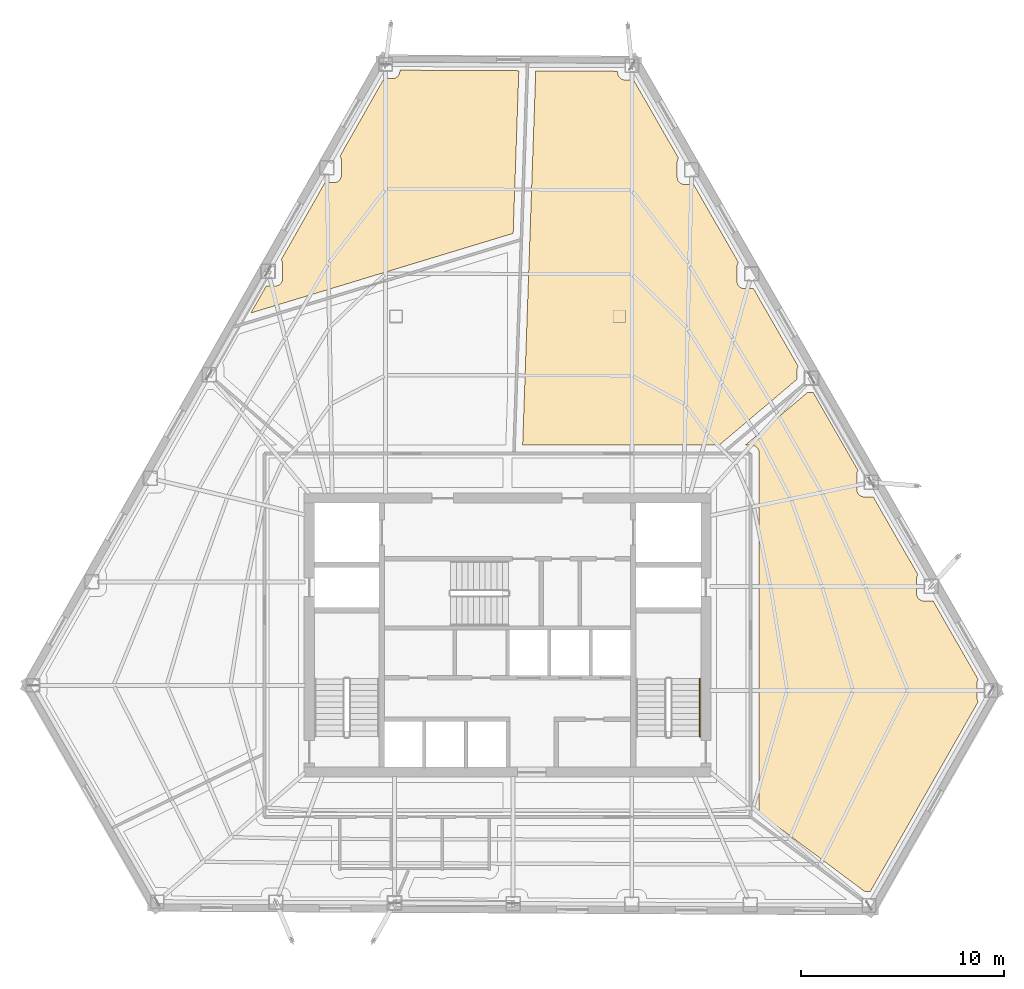
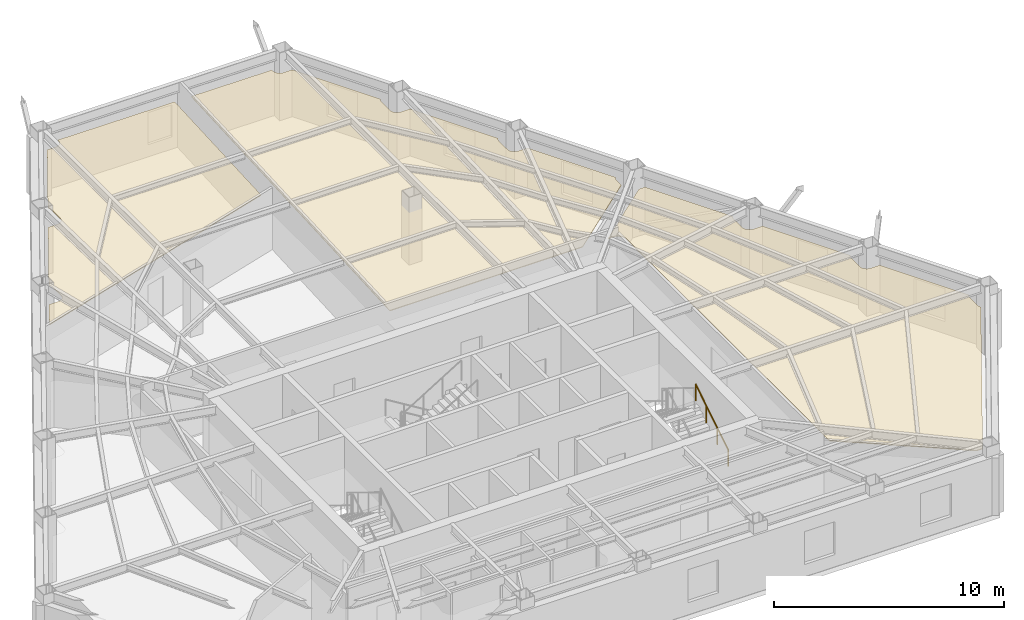
# One storey, part 13 of 13: 3 coverings, 1 railing.
"""IFC4 building model written with IfcOpenShell, lengths in metres."""

from ifc_helpers import new_model, si_unit, direction, frame, origin, origin_2d, place, context, subcontext, project, spatial, polyline, circle, outline, extrude, material, layer, layer_set, type_object, element, save


model = new_model("IFC4")

# Units and contexts
model_context = context("Model", 3, precision=1e-05, world=origin(), true_north=direction((0.0, 1.0)))
body_context = subcontext(model_context, "Body", "Model", "MODEL_VIEW")
ifc_project = project(units=[si_unit("LENGTHUNIT", "METRE"), si_unit("AREAUNIT", "SQUARE_METRE"), si_unit("VOLUMEUNIT", "CUBIC_METRE"), si_unit("PLANEANGLEUNIT", "RADIAN"), si_unit("MASSUNIT", "GRAM", prefix="KILO")], contexts=[model_context])

# Site, building, storey
site_placement = place(None, origin())
site = spatial("IfcSite", under=ifc_project, at=site_placement, CompositionType="ELEMENT")
building_placement = place(site_placement, origin())
building = spatial("IfcBuilding", under=site, at=building_placement, Name="Kavelnor Concourse Tower", CompositionType="ELEMENT")
storey_placement = place(building_placement, frame((0.0, 0.0, 108.60009765625)))
storey = spatial("IfcBuildingStorey", under=building, at=storey_placement, Name="L27", CompositionType="ELEMENT", Elevation=108.60009765625)

# Coverings
ifc_material_1 = material(Name="Mineral fibre acoustic ceiling tile")
ifc_layer = layer(ifc_material_1, 0.0400390625, Name="Mineral fibre acoustic ceiling tile")
ifc_layer_set = layer_set([ifc_layer], Name="Mineral fibre acoustic ceiling tile")
covering_type = type_object("IfcCoveringType", Name="COV-CEILING-ACOUSTIC", PredefinedType="CEILING", material=ifc_layer_set)
covering_1_placement = place(storey_placement, frame((0.0, 0.0, 2.75)))
element("IfcCovering", 1, at=covering_1_placement, inside=storey, type_object=covering_type, Name="L27 Suspended Acoustic Ceiling", PredefinedType="CEILING", context=body_context, shape_type="SweptSolid", body=[
    extrude(outline(polyline([(46.378173828125, 39.51123046875), (46.3662109375, 39.47802734375), (46.357666015625, 39.443603515625), (46.3525390625, 39.40869140625), (46.351318359375, 39.381591796875), (46.351318359375, 38.64501953125), (46.3525390625, 38.6181640625), (46.357666015625, 38.5830078125), (46.3662109375, 38.548828125), (46.378173828125, 38.515380859375), (46.393310546875, 38.4833984375), (46.41162109375, 38.453125), (46.4326171875, 38.4248046875), (46.456298828125, 38.398681640625), (46.482666015625, 38.374755859375), (46.510986328125, 38.353759765625), (46.541259765625, 38.33544921875), (46.5732421875, 38.3203125), (46.606689453125, 38.30859375), (46.640869140625, 38.2998046875), (46.67578125, 38.294677734375), (46.702880859375, 38.29345703125), (47.162109375, 38.29345703125), (49.36767578125, 34.456787109375), (49.359375, 34.445556640625), (49.34130859375, 34.415283203125), (49.326171875, 34.38330078125), (49.314208984375, 34.349853515625), (49.3056640625, 34.315673828125), (49.30029296875, 34.280517578125), (49.299072265625, 34.253662109375), (49.299072265625, 33.51708984375), (49.30029296875, 33.489990234375), (49.3056640625, 33.455078125), (49.314208984375, 33.420654296875), (49.326171875, 33.387451171875), (49.34130859375, 33.35546875), (49.359375, 33.3251953125), (49.380615234375, 33.296630859375), (49.404296875, 33.2705078125), (49.430419921875, 33.24658203125), (49.458984375, 33.2255859375), (49.4892578125, 33.20751953125), (49.521240234375, 33.1923828125), (49.554443359375, 33.180419921875), (49.5888671875, 33.171875), (49.623779296875, 33.16650390625), (49.65087890625, 33.165283203125), (50.110107421875, 33.165283203125), (52.315673828125, 29.32861328125), (52.307373046875, 29.3173828125), (52.289306640625, 29.287109375), (52.274169921875, 29.255126953125), (52.26220703125, 29.2216796875), (52.253662109375, 29.1875), (52.248291015625, 29.152587890625), (52.2470703125, 29.12548828125), (52.2470703125, 28.69189453125), (48.440185546875, 25.472412109375), (38.742431640625, 25.472412109375), (39.385498046875, 43.885986328125), (43.42333984375, 43.865234375), (43.42333984375, 43.793212890625), (43.424560546875, 43.76611328125), (43.4296875, 43.731201171875), (43.4384765625, 43.697021484375), (43.4501953125, 43.66357421875), (43.46533203125, 43.631591796875), (43.483642578125, 43.601318359375), (43.504638671875, 43.572998046875), (43.528564453125, 43.546630859375), (43.5546875, 43.52294921875), (43.5830078125, 43.501708984375), (43.61328125, 43.483642578125), (43.6455078125, 43.468505859375), (43.6787109375, 43.45654296875), (43.712890625, 43.447998046875), (43.748046875, 43.44287109375), (43.77490234375, 43.44140625), (44.202880859375, 43.44140625), (46.419921875, 39.584716796875), (46.41162109375, 39.573486328125), (46.393310546875, 39.543212890625), (46.378173828125, 39.51123046875)])), origin(), (0.0, 0.0, 1.0), 0.039794921875),
])
covering_2_placement = place(storey_placement, frame((0.0, 0.0, 2.75)))
element("IfcCovering", 2, at=covering_2_placement, inside=storey, type_object=covering_type, Name="L27 Suspended Acoustic Ceiling", PredefinedType="CEILING", context=body_context, shape_type="SweptSolid", body=[
    extrude(outline(polyline([(26.570068359375, 33.291748046875), (26.596923828125, 33.29296875), (26.632080078125, 33.298095703125), (26.666259765625, 33.306884765625), (26.69970703125, 33.318603515625), (26.731689453125, 33.333740234375), (26.761962890625, 33.35205078125), (26.790283203125, 33.373046875), (26.81640625, 33.39697265625), (26.84033203125, 33.423095703125), (26.861328125, 33.451416015625), (26.879638671875, 33.481689453125), (26.894775390625, 33.513916015625), (26.906494140625, 33.547119140625), (26.915283203125, 33.581298828125), (26.92041015625, 33.616455078125), (26.921630859375, 33.643310546875), (26.921630859375, 34.3798828125), (26.92041015625, 34.406982421875), (26.915283203125, 34.44189453125), (26.906494140625, 34.476318359375), (26.894775390625, 34.509521484375), (26.879638671875, 34.54150390625), (26.861328125, 34.572021484375), (26.850341796875, 34.5869140625), (29.00927734375, 38.38818359375), (29.464599609375, 38.38818359375), (29.49169921875, 38.389404296875), (29.526611328125, 38.39453125), (29.560791015625, 38.4033203125), (29.59423828125, 38.4150390625), (29.626220703125, 38.43017578125), (29.656494140625, 38.448486328125), (29.684814453125, 38.469482421875), (29.711181640625, 38.493408203125), (29.73486328125, 38.51953125), (29.756103515625, 38.5478515625), (29.774169921875, 38.578125), (29.789306640625, 38.610107421875), (29.80126953125, 38.6435546875), (29.809814453125, 38.677734375), (29.81494140625, 38.712890625), (29.81640625, 38.73974609375), (29.81640625, 39.476318359375), (29.81494140625, 39.50341796875), (29.809814453125, 39.538330078125), (29.80126953125, 39.57275390625), (29.789306640625, 39.60595703125), (29.774169921875, 39.637939453125), (29.756103515625, 39.668212890625), (29.744873046875, 39.683349609375), (31.915283203125, 43.50439453125), (32.339111328125, 43.50439453125), (32.3662109375, 43.505615234375), (32.401123046875, 43.510986328125), (32.435302734375, 43.51953125), (32.46875, 43.531494140625), (32.500732421875, 43.54638671875), (32.531005859375, 43.564697265625), (32.559326171875, 43.585693359375), (32.585693359375, 43.609619140625), (32.609375, 43.6357421875), (32.630615234375, 43.664306640625), (32.648681640625, 43.694580078125), (32.663818359375, 43.7265625), (32.67578125, 43.759765625), (32.684326171875, 43.794189453125), (32.689453125, 43.8291015625), (32.69091796875, 43.856201171875), (32.69091796875, 43.9208984375), (38.55517578125, 43.890380859375), (38.275634765625, 35.882080078125), (25.359375, 31.961669921875), (26.11474609375, 33.291748046875), (26.570068359375, 33.291748046875)])), origin(), (0.0, 0.0, 1.0), 0.039794921875),
])
covering_3_placement = place(storey_placement, frame((0.0, 0.0, 2.75)))
element("IfcCovering", 3, at=covering_3_placement, inside=storey, type_object=covering_type, Name="L27 Suspended Acoustic Ceiling", PredefinedType="CEILING", context=body_context, shape_type="SweptSolid", body=[
    extrude(outline(polyline([(50.392578125, 25.058349609375), (50.390869140625, 25.091552734375), (50.384765625, 25.132568359375), (50.374755859375, 25.1728515625), (50.360595703125, 25.2119140625), (50.343017578125, 25.24951171875), (50.321533203125, 25.284912109375), (50.296875, 25.318359375), (50.26904296875, 25.34912109375), (50.23828125, 25.376953125), (50.205078125, 25.401611328125), (50.16943359375, 25.423095703125), (50.1318359375, 25.440673828125), (50.0927734375, 25.45458984375), (50.052490234375, 25.46484375), (50.011474609375, 25.470947265625), (49.978271484375, 25.472412109375), (49.7255859375, 25.472412109375), (52.75830078125, 28.037109375), (53.05810546875, 28.037109375), (55.263671875, 24.2001953125), (55.25537109375, 24.189208984375), (55.237060546875, 24.158935546875), (55.221923828125, 24.126953125), (55.210205078125, 24.093505859375), (55.201416015625, 24.059326171875), (55.1962890625, 24.0244140625), (55.195068359375, 23.997314453125), (55.195068359375, 23.2607421875), (55.1962890625, 23.233642578125), (55.201416015625, 23.19873046875), (55.210205078125, 23.164306640625), (55.221923828125, 23.131103515625), (55.237060546875, 23.09912109375), (55.25537109375, 23.06884765625), (55.2763671875, 23.040283203125), (55.30029296875, 23.01416015625), (55.326416015625, 22.990478515625), (55.354736328125, 22.96923828125), (55.385009765625, 22.951171875), (55.4169921875, 22.93603515625), (55.450439453125, 22.924072265625), (55.484619140625, 22.91552734375), (55.519775390625, 22.910400390625), (55.546630859375, 22.908935546875), (56.005859375, 22.908935546875), (58.21142578125, 19.072265625), (58.203125, 19.06103515625), (58.18505859375, 19.03076171875), (58.169921875, 18.998779296875), (58.157958984375, 18.965576171875), (58.1494140625, 18.93115234375), (58.144287109375, 18.896240234375), (58.142822265625, 18.869140625), (58.142822265625, 18.132568359375), (58.144287109375, 18.105712890625), (58.1494140625, 18.070556640625), (58.157958984375, 18.036376953125), (58.169921875, 18.0029296875), (58.18505859375, 17.970947265625), (58.203125, 17.940673828125), (58.224365234375, 17.912353515625), (58.248046875, 17.885986328125), (58.2744140625, 17.8623046875), (58.302734375, 17.84130859375), (58.3330078125, 17.822998046875), (58.364990234375, 17.807861328125), (58.398193359375, 17.7958984375), (58.4326171875, 17.787353515625), (58.467529296875, 17.7822265625), (58.49462890625, 17.781005859375), (58.953857421875, 17.781005859375), (61.174560546875, 13.917724609375), (61.171142578125, 13.9130859375), (61.15283203125, 13.8828125), (61.1376953125, 13.8505859375), (61.1259765625, 13.8173828125), (61.1171875, 13.783203125), (61.112060546875, 13.748046875), (61.11083984375, 13.72119140625), (61.11083984375, 13.0244140625), (61.112060546875, 12.99755859375), (61.1171875, 12.96240234375), (61.1259765625, 12.92822265625), (61.1376953125, 12.89501953125), (61.15283203125, 12.86279296875), (61.171142578125, 12.83251953125), (61.17724609375, 12.82421875), (55.872802734375, 3.48486328125), (55.570068359375, 3.48486328125), (50.392578125, 7.34716796875), (50.392578125, 25.058349609375)])), origin(), (0.0, 0.0, 1.0), 0.039794921875),
])

# Railing
ifc_material_2 = material(Name="Steel Grade 350", Category="steel")
railing_type = type_object("IfcRailingType", Name="RLG-HANDRAIL-900", PredefinedType="HANDRAIL", material=ifc_material_2)
railing_placement = place(storey_placement, frame((47.469970703125, 11.10009765625, 0.1748046875)))
element("IfcRailing", 4, at=railing_placement, inside=storey, type_object=railing_type, Name="L27 ST2 stair handrail 1", PredefinedType="HANDRAIL", context=body_context, shape_type="SweptSolid", body=[
    extrude(circle(Radius=0.02392578125, at=origin_2d()), frame((0.0, 0.0, 0.8759765625), z_axis=(0.0, 0.852159232446, 0.523282564737), x_axis=(-1.0, 0.0, 0.0)), (0.0, 0.0, 1.0), 3.34423828125),
    extrude(circle(Radius=0.02099609375, at=origin_2d()), origin(), (0.0, 0.0, 1.0), 0.851806640625),
    extrude(circle(Radius=0.02099609375, at=origin_2d()), frame((0.0, 0.949951171875, 0.583251953125)), (0.0, 0.0, 1.0), 0.851806640625),
    extrude(circle(Radius=0.02099609375, at=origin_2d()), frame((0.0, 1.89990234375, 1.166748046875)), (0.0, 0.0, 1.0), 0.851806640625),
    extrude(circle(Radius=0.02099609375, at=origin_2d()), frame((0.0, 2.849853515625, 1.75)), (0.0, 0.0, 1.0), 0.851806640625),
])

save(model, "model.ifc")
